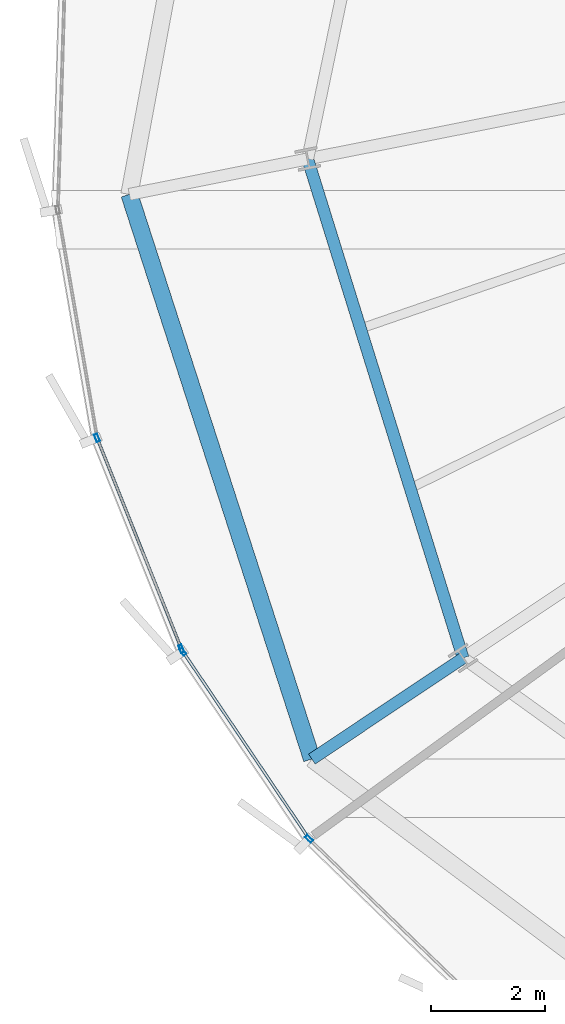
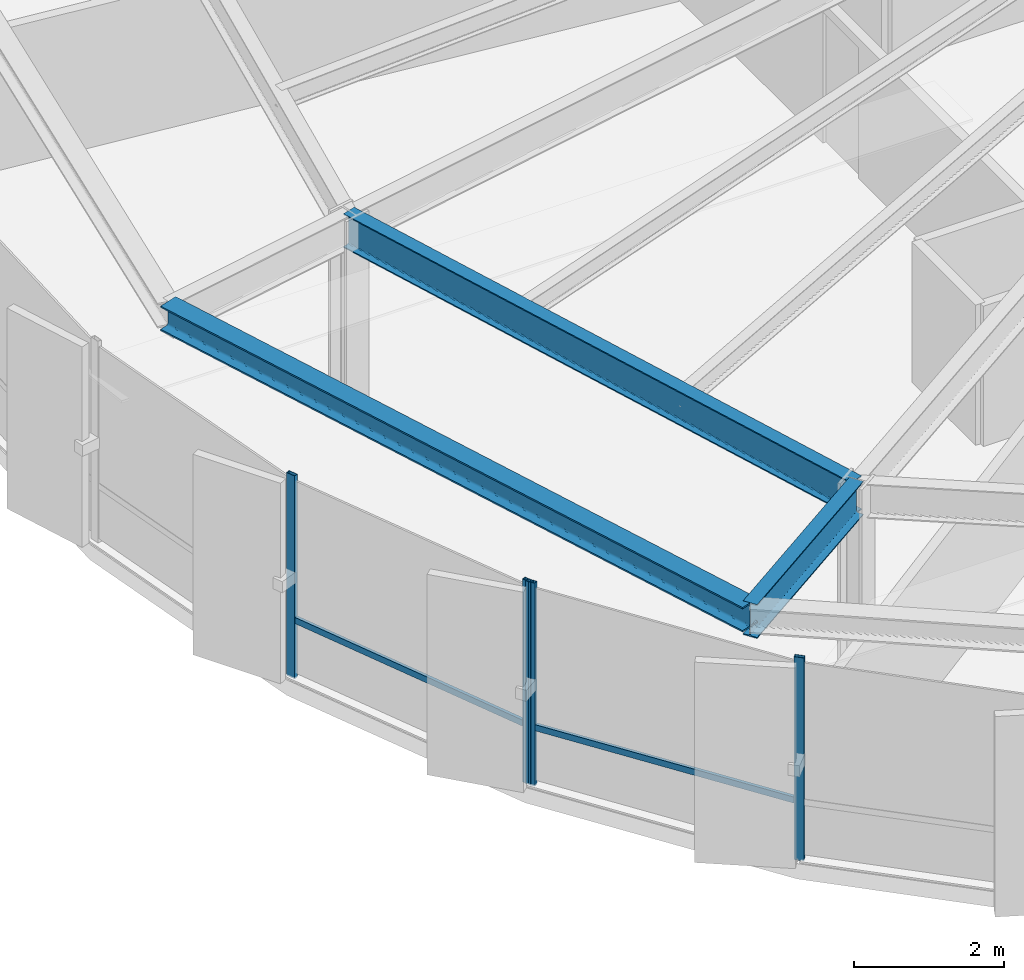
# One storey, part 3 of 35: 6 members, 3 beams, 2 elements without a shape of their own.
"""IFC4 building model written with IfcOpenShell, lengths in metres."""

from ifc_helpers import new_model, si_unit, direction, frame, origin, origin_2d, place, context, subcontext, project, spatial, hollow_rectangle, i_section, extrude, source, transform, mapped, material, layer, layer_set, material_profile, profile_set, type_object, element, aggregate, save


model = new_model("IFC4")

# Units and contexts
model_context = context("Model", 3, precision=1e-05, world=origin(), true_north=direction((0.0, 1.0)))
body_context = subcontext(model_context, "Body", "Model", "MODEL_VIEW")
ifc_project = project(units=[si_unit("LENGTHUNIT", "METRE"), si_unit("AREAUNIT", "SQUARE_METRE"), si_unit("VOLUMEUNIT", "CUBIC_METRE"), si_unit("PLANEANGLEUNIT", "RADIAN"), si_unit("MASSUNIT", "GRAM", prefix="KILO"), si_unit("THERMODYNAMICTEMPERATUREUNIT", "KELVIN")], contexts=[model_context])

# Site, building, storey
site_placement = place(None, origin())
site = spatial("IfcSite", under=ifc_project, at=site_placement, CompositionType="ELEMENT")
building_placement = place(site_placement, origin())
building = spatial("IfcBuilding", under=site, at=building_placement, Name="Kethvar Cultural Tower", CompositionType="ELEMENT")
storey_placement = place(building_placement, frame((0.0, 0.0, 146.550048828125)))
storey = spatial("IfcBuildingStorey", under=building, at=storey_placement, Name="L37", CompositionType="ELEMENT", Elevation=146.550048828125)

# Beams
ifc_material_1 = material(Name="Steel S355J2", Category="steel")
ifc_material_profile_1 = material_profile(ifc_material_1, i_section(OverallWidth=0.2099609375, OverallDepth=0.550048828125, WebThickness=0.010986328125, FlangeThickness=0.01708984375, FilletRadius=0.02392578125, at=origin_2d()), Name="Steel S355J2 — IPE550")
ifc_profile_set_1 = profile_set([ifc_material_profile_1], Name="Steel S355J2 — IPE550")
beam_type_1 = type_object("IfcBeamType", Name="BM-IPE550", PredefinedType="BEAM", material=ifc_profile_set_1)
shared_shape_1 = source(origin(), body_context, "Body", "SweptSolid", [
    extrude(i_section(OverallWidth=0.2099609375, OverallDepth=0.550048828125, WebThickness=0.010986328125, FlangeThickness=0.01708984375, FilletRadius=0.02392578125, at=origin_2d()), origin(), (0.0, 0.0, 1.0), 3.199951171875),
])
beam_1_placement = place(storey_placement, frame((26.920654296875, 14.51708984375, 3.02294921875), z_axis=(-0.831462943996, -0.555580212716, 0.0), x_axis=(0.555580212716, -0.831462943996, 0.0)))
element("IfcBeam", 1, at=beam_1_placement, inside=storey, type_object=beam_type_1, Name="L37 Perimeter Cantilever Beam RC-10", PredefinedType="BEAM", context=body_context, shape_type="MappedRepresentation", body=[
    mapped(shared_shape_1, transform((0.0, 0.0, 0.0), scale=1.0)),
])
shared_shape_2 = source(origin(), body_context, "Body", "SweptSolid", [
    extrude(i_section(OverallWidth=0.2099609375, OverallDepth=0.550048828125, WebThickness=0.010986328125, FlangeThickness=0.01708984375, FilletRadius=0.02392578125, at=origin_2d()), origin(), (0.0, 0.0, 1.0), 9.20068359375),
])
beam_2_placement = place(storey_placement, frame((24.185302734375, 23.3017578125, 3.02294921875), z_axis=(0.297298800285, -0.954784490526, 0.0), x_axis=(0.954784490526, 0.297298800285, 0.0)))
element("IfcBeam", 2, at=beam_2_placement, inside=storey, type_object=beam_type_1, Name="L37 Column Ring Tie Beam CR-09", PredefinedType="BEAM", context=body_context, shape_type="MappedRepresentation", body=[
    mapped(shared_shape_2, transform((0.0, 0.0, 0.0), scale=1.0)),
])
ifc_material_profile_2 = material_profile(ifc_material_1, i_section(OverallWidth=0.300048828125, OverallDepth=0.39990234375, WebThickness=0.013427734375, FlangeThickness=0.02392578125, FilletRadius=0.027099609375, at=origin_2d()), Name="Steel S355J2 — HEB400")
ifc_profile_set_2 = profile_set([ifc_material_profile_2], Name="Steel S355J2 — HEB400")
beam_type_2 = type_object("IfcBeamType", Name="BM-SP400", PredefinedType="SPANDREL", material=ifc_profile_set_2)
shared_shape_3 = source(origin(), body_context, "Body", "SweptSolid", [
    extrude(i_section(OverallWidth=0.300048828125, OverallDepth=0.39990234375, WebThickness=0.013427734375, FlangeThickness=0.02392578125, FilletRadius=0.027099609375, at=origin_2d()), origin(), (0.0, 0.0, 1.0), 10.44482421875),
])
beam_3_placement = place(storey_placement, frame((21.046875, 22.677490234375, 3.097900390625), z_axis=(0.307631709258, -0.951505507845, 0.0), x_axis=(0.951505507845, 0.307631709258, 0.0)))
element("IfcBeam", 3, at=beam_3_placement, inside=storey, type_object=beam_type_2, Name="L37 Perimeter Spandrel Beam SP-09", PredefinedType="SPANDREL", context=body_context, shape_type="MappedRepresentation", body=[
    mapped(shared_shape_3, transform((0.0, 0.0, 0.0), scale=1.0)),
])

# Curtain wall, members
ifc_material_2 = material(Name="Aluminium 6063-T6", Category="aluminium")
ifc_layer = layer(ifc_material_2, 0.179931640625, Name="Aluminium 6063-T6", Category="aluminium")
ifc_layer_set = layer_set([ifc_layer], Name="Aluminium 6063-T6 (180 mm)")
curtain_wall_type = type_object("IfcCurtainWallType", Name="CW-SYS-04-Z34", PredefinedType="NOTDEFINED", material=ifc_layer_set)
curtain_wall_1_placement = place(storey_placement, origin())
curtain_wall_1 = element("IfcCurtainWall", 4, at=curtain_wall_1_placement, inside=storey, type_object=curtain_wall_type, Name="L37 Curtain Wall Run 03", PredefinedType="NOTDEFINED")
ifc_material_profile_3 = material_profile(ifc_material_2, hollow_rectangle(XDim=0.06005859375, YDim=0.139892578125, WallThickness=0.0048828125, at=origin_2d()), Name="Aluminium 6063-T6 — RHS140x60x5")
ifc_profile_set_3 = profile_set([ifc_material_profile_3], Name="Aluminium 6063-T6 — RHS140x60x5")
member_type_1 = type_object("IfcMemberType", Name="CW-SYS-04-Z34-MUL", PredefinedType="MULLION", material=ifc_profile_set_3)
shared_shape_4 = source(origin(), body_context, "Body", "SweptSolid", [
    extrude(hollow_rectangle(XDim=0.06005859375, YDim=0.139892578125, WallThickness=0.0048828125, at=origin_2d()), origin(), (0.0, 0.0, 1.0), 3.300048828125),
])
member_1_placement = place(storey_placement, frame((20.476806640625, 18.392333984375, 0.0), z_axis=(0.0, 0.0, 1.0), x_axis=(0.928427481103, 0.371513677181, 0.0)))
member_1 = element("IfcMember", 5, at=member_1_placement, type_object=member_type_1, Name="CW-L37-R03 Mullion 6", PredefinedType="MULLION", context=body_context, shape_type="MappedRepresentation", body=[
    mapped(shared_shape_4, transform((0.0, 0.0, 0.0), scale=1.0)),
])
member_2_placement = place(storey_placement, frame((21.96240234375, 14.679931640625, 0.0), z_axis=(0.0, 0.0, 1.0), x_axis=(0.928427481103, 0.371513677181, 0.0)))
member_2 = element("IfcMember", 6, at=member_2_placement, type_object=member_type_1, Name="CW-L37-R03 Mullion 7", PredefinedType="MULLION", context=body_context, shape_type="MappedRepresentation", body=[
    mapped(shared_shape_4, transform((0.0, 0.0, 0.0), scale=1.0)),
])

curtain_wall_2_placement = place(storey_placement, origin())
curtain_wall_2 = element("IfcCurtainWall", 7, at=curtain_wall_2_placement, inside=storey, type_object=curtain_wall_type, Name="L37 Curtain Wall Run 04", PredefinedType="NOTDEFINED")
member_3_placement = place(storey_placement, frame((21.98779296875, 14.632080078125, 0.0), z_axis=(0.0, 0.0, 1.0), x_axis=(0.829125400143, 0.559062671655, 0.0)))
member_3 = element("IfcMember", 8, at=member_3_placement, type_object=member_type_1, Name="CW-L37-R04 Mullion 1", PredefinedType="MULLION", context=body_context, shape_type="MappedRepresentation", body=[
    mapped(shared_shape_4, transform((0.0, 0.0, 0.0), scale=1.0)),
])
member_4_placement = place(storey_placement, frame((24.20849609375, 11.334228515625, 0.0), z_axis=(0.0, 0.0, 1.0), x_axis=(0.694645815505, 0.719351924305, 0.0)))
member_4 = element("IfcMember", 9, at=member_4_placement, type_object=member_type_1, Name="CW-L37-R04 Mullion 2", PredefinedType="MULLION", context=body_context, shape_type="MappedRepresentation", body=[
    mapped(shared_shape_4, transform((0.0, 0.0, 0.0), scale=1.0)),
])

# Member
ifc_material_profile_4 = material_profile(ifc_material_2, hollow_rectangle(XDim=0.050048828125, YDim=0.10009765625, WallThickness=0.00390625, at=origin_2d()), Name="Aluminium 6063-T6 — RHS100x50x4")
ifc_profile_set_4 = profile_set([ifc_material_profile_4], Name="Aluminium 6063-T6 — RHS100x50x4")
member_type_2 = type_object("IfcMemberType", Name="CW-SYS-04-Z34-TRN", PredefinedType="USERDEFINED", material=ifc_profile_set_4)
shared_shape_5 = source(origin(), body_context, "Body", "SweptSolid", [
    extrude(hollow_rectangle(XDim=0.050048828125, YDim=0.10009765625, WallThickness=0.00390625, at=origin_2d()), origin(), (0.0, 0.0, 1.0), 3.951171875),
])
member_5_placement = place(storey_placement, frame((20.492919921875, 18.352294921875, 0.949951171875), z_axis=(0.371529161791, -0.928421284729, 0.0), x_axis=(0.928421284729, 0.371529161791, 0.0)))
member_5 = element("IfcMember", 10, at=member_5_placement, type_object=member_type_2, Name="CW-L37-R03 Transom 6", ObjectType="TRANSOM", PredefinedType="USERDEFINED", context=body_context, shape_type="MappedRepresentation", body=[
    mapped(shared_shape_5, transform((0.0, 0.0, 0.0), scale=1.0)),
])

aggregate(curtain_wall_1, [member_1, member_2, member_5])

member_6_placement = place(storey_placement, frame((21.990234375, 14.62841796875, 0.949951171875), z_axis=(0.559055736633, -0.829130076247, 0.0), x_axis=(0.829130076247, 0.559055736633, 0.0)))
member_6 = element("IfcMember", 11, at=member_6_placement, type_object=member_type_2, Name="CW-L37-R04 Transom 1", ObjectType="TRANSOM", PredefinedType="USERDEFINED", context=body_context, shape_type="MappedRepresentation", body=[
    mapped(shared_shape_5, transform((0.0, 0.0, 0.0), scale=1.0)),
])

aggregate(curtain_wall_2, [member_3, member_4, member_6])

save(model, "model.ifc")
